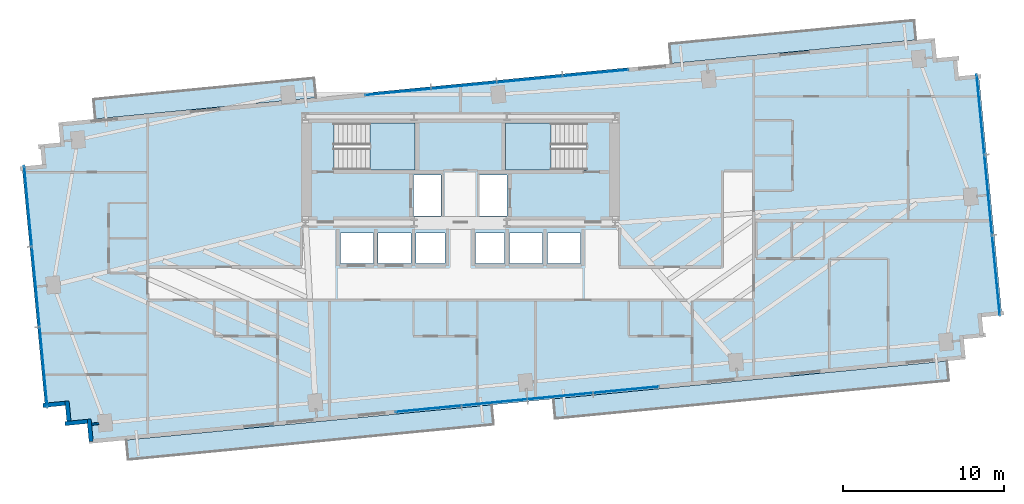
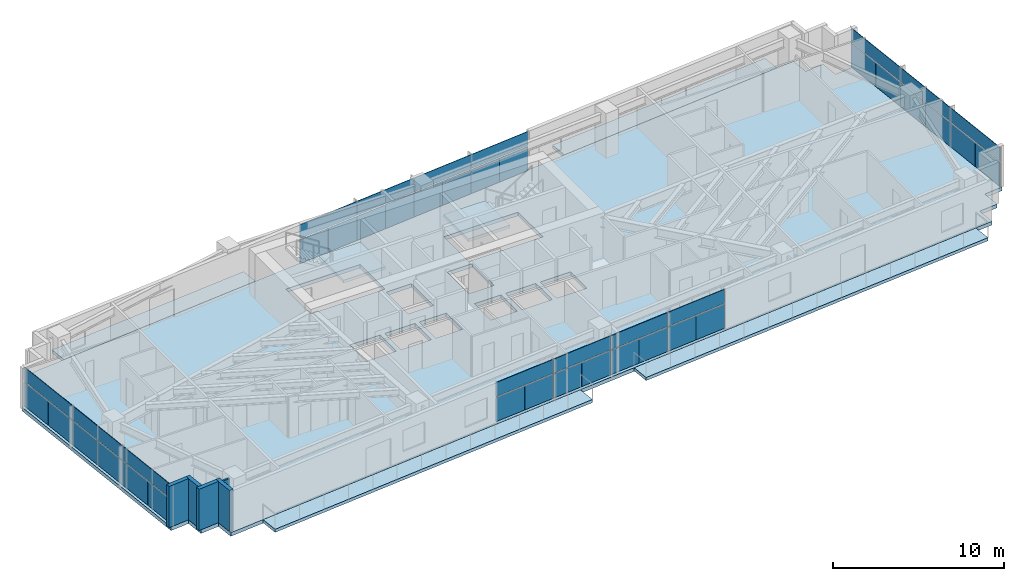
# One storey, part 20 of 27: 42 plates, 7 slabs, 5 walls, 6 elements without a shape of their own.
"""IFC4 building model written with IfcOpenShell, lengths in metres."""

from ifc_helpers import new_model, si_unit, direction, frame, frame_2d, origin, origin_2d, place, context, subcontext, project, spatial, polyline, rectangle, outline, extrude, source, transform, mapped, material, layer, layer_set, type_object, type_shapes, element, aggregate, save


model = new_model("IFC4")

# Units and contexts
model_context = context("Model", 3, precision=1e-05, world=origin(), true_north=direction((0.0, 1.0)))
body_context = subcontext(model_context, "Body", "Model", "MODEL_VIEW")
ifc_project = project(units=[si_unit("LENGTHUNIT", "METRE"), si_unit("AREAUNIT", "SQUARE_METRE"), si_unit("VOLUMEUNIT", "CUBIC_METRE"), si_unit("PLANEANGLEUNIT", "RADIAN"), si_unit("MASSUNIT", "GRAM", prefix="KILO")], contexts=[model_context])

# Site, building, storey
site_placement = place(None, origin())
site = spatial("IfcSite", under=ifc_project, at=site_placement, CompositionType="ELEMENT")
building_placement = place(site_placement, origin())
building = spatial("IfcBuilding", under=site, at=building_placement, Name="Astriad Promenade Condominiums", CompositionType="ELEMENT")
storey_placement = place(building_placement, frame((0.0, 0.0, 93.800048828125)))
storey = spatial("IfcBuildingStorey", under=building, at=storey_placement, Name="L26", CompositionType="ELEMENT", Elevation=93.800048828125)

# Slab
ifc_material_1 = material(Name="Concrete C50/60", Category="concrete")
ifc_layer_1 = layer(ifc_material_1, 0.260009765625)
ifc_layer_set_1 = layer_set([ifc_layer_1], Name="Concrete C50/60")
slab_type_1 = type_object("IfcSlabType", Name="CONCRETE TOWER FLOOR SLAB 260", PredefinedType="FLOOR", material=ifc_layer_set_1)
slab_1_placement = place(storey_placement, frame((0.0, 0.0, -0.260009765625)))
element("IfcSlab", 1, at=slab_1_placement, inside=storey, type_object=slab_type_1, Name="Structural Floor Slab (L26)", PredefinedType="FLOOR", context=body_context, shape_type="SweptSolid", body=[
    extrude(outline(polyline([(12.984130859375, 3.7294921875), (67.332763671875, 8.962646484375), (67.212890625, 10.206787109375), (68.457275390625, 10.32666015625), (68.33740234375, 11.57080078125), (69.58154296875, 11.690673828125), (68.14404296875, 26.62158203125), (66.899658203125, 26.501953125), (66.77978515625, 27.74609375), (65.53564453125, 27.626220703125), (65.416015625, 28.87060546875), (11.067138671875, 23.637451171875), (11.18701171875, 22.39306640625), (9.94287109375, 22.273193359375), (10.0625, 21.029052734375), (8.818359375, 20.9091796875), (10.256103515625, 5.978271484375), (11.500244140625, 6.09814453125), (11.6201171875, 4.85400390625), (12.8642578125, 4.9736328125), (12.984130859375, 3.7294921875)]), holes=[polyline([(28.175048828125, 20.699951171875), (33.175048828125, 20.699951171875), (33.175048828125, 23.60009765625), (28.175048828125, 23.60009765625), (28.175048828125, 20.699951171875)]), polyline([(38.824951171875, 20.699951171875), (43.824951171875, 20.699951171875), (43.824951171875, 23.60009765625), (38.824951171875, 23.60009765625), (38.824951171875, 20.699951171875)]), polyline([(33.10009765625, 17.85009765625), (34.800048828125, 17.85009765625), (34.800048828125, 20.39990234375), (33.10009765625, 20.39990234375), (33.10009765625, 17.85009765625)]), polyline([(37.199951171875, 17.85009765625), (38.89990234375, 17.85009765625), (38.89990234375, 20.39990234375), (37.199951171875, 20.39990234375), (37.199951171875, 17.85009765625)]), polyline([(28.550048828125, 14.89990234375), (30.60009765625, 14.89990234375), (30.60009765625, 16.800048828125), (28.550048828125, 16.800048828125), (28.550048828125, 14.89990234375)]), polyline([(30.89990234375, 14.89990234375), (32.949951171875, 14.89990234375), (32.949951171875, 16.800048828125), (30.89990234375, 16.800048828125), (30.89990234375, 14.89990234375)]), polyline([(33.25, 14.89990234375), (35.050048828125, 14.89990234375), (35.050048828125, 16.800048828125), (33.25, 16.800048828125), (33.25, 14.89990234375)]), polyline([(36.949951171875, 14.89990234375), (38.75, 14.89990234375), (38.75, 16.800048828125), (36.949951171875, 16.800048828125), (36.949951171875, 14.89990234375)]), polyline([(39.050048828125, 14.89990234375), (41.10009765625, 14.89990234375), (41.10009765625, 16.800048828125), (39.050048828125, 16.800048828125), (39.050048828125, 14.89990234375)]), polyline([(41.39990234375, 14.89990234375), (43.449951171875, 14.89990234375), (43.449951171875, 16.800048828125), (41.39990234375, 16.800048828125), (41.39990234375, 14.89990234375)])]), origin(), (0.0, 0.0, 1.0), 0.260009765625),
])

# Stair, slab
stair_type = type_object("IfcStairType", Name="STR-CORE-1350", PredefinedType="HALF_TURN_STAIR", material=ifc_material_1)
stair_1_placement = place(storey_placement, origin())
stair_1 = element("IfcStair", 2, at=stair_1_placement, inside=storey, type_object=stair_type, Name="L26 Enclosed Core Exit Stair ST-1", PredefinedType="HALF_TURN_STAIR")
ifc_layer_2 = layer(ifc_material_1, 0.219970703125)
ifc_layer_set_2 = layer_set([ifc_layer_2], Name="Concrete C50/60")
slab_type_2 = type_object("IfcSlabType", Name="SLB-LANDING-220", PredefinedType="LANDING", material=ifc_layer_set_2)
slab_2_placement = place(storey_placement, frame((0.0, 0.0, 1.39990234375)))
slab_2 = element("IfcSlab", 3, at=slab_2_placement, type_object=slab_type_2, Name="ST-1 landing 1", PredefinedType="LANDING", context=body_context, shape_type="SweptSolid", body=[
    extrude(outline(polyline([(30.389892578125, 20.699951171875), (33.199951171875, 20.699951171875), (33.199951171875, 23.60009765625), (30.389892578125, 23.60009765625), (30.389892578125, 20.699951171875)])), origin(), (0.0, 0.0, 1.0), 0.199951171875),
])
aggregate(stair_1, [slab_2])

stair_2_placement = place(storey_placement, origin())
stair_2 = element("IfcStair", 4, at=stair_2_placement, inside=storey, type_object=stair_type, Name="L26 Enclosed Core Exit Stair ST-2", PredefinedType="HALF_TURN_STAIR")
slab_3_placement = place(storey_placement, frame((0.0, 0.0, 1.39990234375)))
slab_3 = element("IfcSlab", 5, at=slab_3_placement, type_object=slab_type_2, Name="ST-2 landing 1", PredefinedType="LANDING", context=body_context, shape_type="SweptSolid", body=[
    extrude(outline(polyline([(41.610107421875, 23.60009765625), (38.800048828125, 23.60009765625), (38.800048828125, 20.699951171875), (41.610107421875, 20.699951171875), (41.610107421875, 23.60009765625)])), origin(), (0.0, 0.0, 1.0), 0.199951171875),
])
aggregate(stair_2, [slab_3])

# Slabs
ifc_material_2 = material(Name="Precast concrete C50/60", Category="concrete")
ifc_layer_3 = layer(ifc_material_2, 0.219970703125)
ifc_layer_set_3 = layer_set([ifc_layer_3], Name="Precast concrete C50/60")
slab_type_3 = type_object("IfcSlabType", Name="WHITE PRECAST CONCRETE WAVE BALCONY SLAB 220", PredefinedType="FLOOR", material=ifc_layer_set_3)
slab_4_placement = place(storey_placement, frame((0.0, 0.0, -0.219970703125)))
element("IfcSlab", 6, at=slab_4_placement, inside=storey, type_object=slab_type_3, Name="White Precast Wave Balcony Slab BAL-L26-SW", PredefinedType="FLOOR", context=body_context, shape_type="SweptSolid", body=[
    extrude(outline(polyline([(38.05859375, 4.918212890625), (15.4013671875, 2.736572265625), (15.28466796875, 3.948974609375), (37.94189453125, 6.130615234375), (38.05859375, 4.918212890625)])), origin(), (0.0, 0.0, 1.0), 0.219970703125),
])
slab_5_placement = place(storey_placement, frame((0.0, 0.0, -0.219970703125)))
element("IfcSlab", 7, at=slab_5_placement, inside=storey, type_object=slab_type_3, Name="White Precast Wave Balcony Slab BAL-L26-SE", PredefinedType="FLOOR", context=body_context, shape_type="SweptSolid", body=[
    extrude(outline(polyline([(66.2880859375, 7.636474609375), (41.885986328125, 5.28662109375), (41.769287109375, 6.4990234375), (66.17138671875, 8.848876953125), (66.2880859375, 7.636474609375)])), origin(), (0.0, 0.0, 1.0), 0.219970703125),
])
slab_6_placement = place(storey_placement, frame((0.0, 0.0, -0.219970703125)))
element("IfcSlab", 8, at=slab_6_placement, inside=storey, type_object=slab_type_3, Name="White Precast Wave Balcony Slab BAL-L26-NW", PredefinedType="FLOOR", context=body_context, shape_type="SweptSolid", body=[
    extrude(outline(polyline([(13.250732421875, 25.0732421875), (26.926513671875, 26.39013671875), (27.043212890625, 25.177734375), (13.367431640625, 23.86083984375), (13.250732421875, 25.0732421875)])), origin(), (0.0, 0.0, 1.0), 0.219970703125),
])
slab_7_placement = place(storey_placement, frame((0.0, 0.0, -0.219970703125)))
element("IfcSlab", 9, at=slab_7_placement, inside=storey, type_object=slab_type_3, Name="White Precast Wave Balcony Slab BAL-L26-NE", PredefinedType="FLOOR", context=body_context, shape_type="SweptSolid", body=[
    extrude(outline(polyline([(48.964599609375, 28.51220703125), (64.13720703125, 29.97314453125), (64.25390625, 28.7607421875), (49.081298828125, 27.2998046875), (48.964599609375, 28.51220703125)])), origin(), (0.0, 0.0, 1.0), 0.219970703125),
])

# Curtain wall, plates
ifc_material_3 = material(Name="Anodised aluminium Black Dark Glass Unitised", Category="aluminium")
curtain_wall_type = type_object("IfcCurtainWallType", Name="CW-B2-DARK", PredefinedType="USERDEFINED", material=ifc_material_3)
curtain_wall_1_placement = place(storey_placement, origin())
curtain_wall_1 = element("IfcCurtainWall", 10, at=curtain_wall_1_placement, inside=storey, type_object=curtain_wall_type, Name="CW-L26-W", ObjectType="UNITISED_CURTAIN_WALL", PredefinedType="USERDEFINED")
ifc_material_4 = material(Name="Dark Tinted Low-E Laminated Glass", Category="glass")
ifc_layer_4 = layer(ifc_material_4, 0.035888671875)
ifc_layer_set_4 = layer_set([ifc_layer_4], Name="Dark Tinted Low-E Laminated Glass")
plate_type = type_object("IfcPlateType", Name="PNL-DARK-GLASS-36", PredefinedType="CURTAIN_PANEL", material=ifc_layer_set_4)
shared_shape_1 = source(origin(), body_context, "Body", "SweptSolid", [
    extrude(rectangle(XDim=2.488037109375, YDim=0.035888671875, at=origin_2d()), origin(), (0.0, 0.0, 1.0), 1.702880859375),
])
plate_1_placement = place(storey_placement, frame((10.265625, 7.235107421875, 0.080078125), z_axis=(0.0, 0.0, 1.0), x_axis=(-0.09584575252, 0.995396198367, 0.0)))
plate_1 = element("IfcPlate", 11, at=plate_1_placement, type_object=plate_type, Name="CW-L26-W-PNL-00-VL", PredefinedType="CURTAIN_PANEL", context=body_context, shape_type="MappedRepresentation", body=[
    mapped(shared_shape_1, transform((0.0, 0.0, 0.0), scale=1.0)),
])
plate_2_placement = place(storey_placement, frame((10.02587890625, 9.723388671875, 0.080078125), z_axis=(0.0, 0.0, 1.0), x_axis=(-0.09584575252, 0.995396198367, 0.0)))
plate_2 = element("IfcPlate", 12, at=plate_2_placement, type_object=plate_type, Name="CW-L26-W-PNL-00-VR", PredefinedType="CURTAIN_PANEL", context=body_context, shape_type="MappedRepresentation", body=[
    mapped(shared_shape_1, transform((0.0, 0.0, 0.0), scale=1.0)),
])
plate_3_placement = place(storey_placement, frame((9.786376953125, 12.212158203125, 0.080078125), z_axis=(0.0, 0.0, 1.0), x_axis=(-0.09584575252, 0.995396198367, 0.0)))
plate_3 = element("IfcPlate", 13, at=plate_3_placement, type_object=plate_type, Name="CW-L26-W-PNL-01-VL", PredefinedType="CURTAIN_PANEL", context=body_context, shape_type="MappedRepresentation", body=[
    mapped(shared_shape_1, transform((0.0, 0.0, 0.0), scale=1.0)),
])
plate_4_placement = place(storey_placement, frame((9.546875, 14.700439453125, 0.080078125), z_axis=(0.0, 0.0, 1.0), x_axis=(-0.09584575252, 0.995396198367, 0.0)))
plate_4 = element("IfcPlate", 14, at=plate_4_placement, type_object=plate_type, Name="CW-L26-W-PNL-01-VR", PredefinedType="CURTAIN_PANEL", context=body_context, shape_type="MappedRepresentation", body=[
    mapped(shared_shape_1, transform((0.0, 0.0, 0.0), scale=1.0)),
])
plate_5_placement = place(storey_placement, frame((9.30712890625, 17.189208984375, 0.080078125), z_axis=(0.0, 0.0, 1.0), x_axis=(-0.09584575252, 0.995396198367, 0.0)))
plate_5 = element("IfcPlate", 15, at=plate_5_placement, type_object=plate_type, Name="CW-L26-W-PNL-02-VL", PredefinedType="CURTAIN_PANEL", context=body_context, shape_type="MappedRepresentation", body=[
    mapped(shared_shape_1, transform((0.0, 0.0, 0.0), scale=1.0)),
])
plate_6_placement = place(storey_placement, frame((9.067626953125, 19.677490234375, 0.080078125), z_axis=(0.0, 0.0, 1.0), x_axis=(-0.09584575252, 0.995396198367, 0.0)))
plate_6 = element("IfcPlate", 16, at=plate_6_placement, type_object=plate_type, Name="CW-L26-W-PNL-02-VR", PredefinedType="CURTAIN_PANEL", context=body_context, shape_type="MappedRepresentation", body=[
    mapped(shared_shape_1, transform((0.0, 0.0, 0.0), scale=1.0)),
])

curtain_wall_2_placement = place(storey_placement, origin())
curtain_wall_2 = element("IfcCurtainWall", 17, at=curtain_wall_2_placement, inside=storey, type_object=curtain_wall_type, Name="CW-L26-E", ObjectType="UNITISED_CURTAIN_WALL", PredefinedType="USERDEFINED")
plate_7_placement = place(storey_placement, frame((68.134521484375, 25.364990234375, 0.080078125), z_axis=(0.0, 0.0, 1.0), x_axis=(0.09584575252, -0.995396198367, 0.0)))
plate_7 = element("IfcPlate", 18, at=plate_7_placement, type_object=plate_type, Name="CW-L26-E-PNL-00-VL", PredefinedType="CURTAIN_PANEL", context=body_context, shape_type="MappedRepresentation", body=[
    mapped(shared_shape_1, transform((0.0, 0.0, 0.0), scale=1.0)),
])
plate_8_placement = place(storey_placement, frame((68.3740234375, 22.87646484375, 0.080078125), z_axis=(0.0, 0.0, 1.0), x_axis=(0.09584575252, -0.995396198367, 0.0)))
plate_8 = element("IfcPlate", 19, at=plate_8_placement, type_object=plate_type, Name="CW-L26-E-PNL-00-VR", PredefinedType="CURTAIN_PANEL", context=body_context, shape_type="MappedRepresentation", body=[
    mapped(shared_shape_1, transform((0.0, 0.0, 0.0), scale=1.0)),
])
plate_9_placement = place(storey_placement, frame((68.613525390625, 20.387939453125, 0.080078125), z_axis=(0.0, 0.0, 1.0), x_axis=(0.09584575252, -0.995396198367, 0.0)))
plate_9 = element("IfcPlate", 20, at=plate_9_placement, type_object=plate_type, Name="CW-L26-E-PNL-01-VL", PredefinedType="CURTAIN_PANEL", context=body_context, shape_type="MappedRepresentation", body=[
    mapped(shared_shape_1, transform((0.0, 0.0, 0.0), scale=1.0)),
])
plate_10_placement = place(storey_placement, frame((68.853271484375, 17.8994140625, 0.080078125), z_axis=(0.0, 0.0, 1.0), x_axis=(0.09584575252, -0.995396198367, 0.0)))
plate_10 = element("IfcPlate", 21, at=plate_10_placement, type_object=plate_type, Name="CW-L26-E-PNL-01-VR", PredefinedType="CURTAIN_PANEL", context=body_context, shape_type="MappedRepresentation", body=[
    mapped(shared_shape_1, transform((0.0, 0.0, 0.0), scale=1.0)),
])
plate_11_placement = place(storey_placement, frame((69.0927734375, 15.410888671875, 0.080078125), z_axis=(0.0, 0.0, 1.0), x_axis=(0.09584575252, -0.995396198367, 0.0)))
plate_11 = element("IfcPlate", 22, at=plate_11_placement, type_object=plate_type, Name="CW-L26-E-PNL-02-VL", PredefinedType="CURTAIN_PANEL", context=body_context, shape_type="MappedRepresentation", body=[
    mapped(shared_shape_1, transform((0.0, 0.0, 0.0), scale=1.0)),
])
plate_12_placement = place(storey_placement, frame((69.33251953125, 12.922607421875, 0.080078125), z_axis=(0.0, 0.0, 1.0), x_axis=(0.09584575252, -0.995396198367, 0.0)))
plate_12 = element("IfcPlate", 23, at=plate_12_placement, type_object=plate_type, Name="CW-L26-E-PNL-02-VR", PredefinedType="CURTAIN_PANEL", context=body_context, shape_type="MappedRepresentation", body=[
    mapped(shared_shape_1, transform((0.0, 0.0, 0.0), scale=1.0)),
])

# Plate
shared_shape_2 = source(origin(), body_context, "Body", "SweptSolid", [
    extrude(rectangle(XDim=4.988037109375, YDim=0.035888671875, at=origin_2d()), origin(), (0.0, 0.0, 1.0), 0.997314453125),
])
plate_13_placement = place(storey_placement, frame((10.145751953125, 8.479248046875, 1.86279296875), z_axis=(0.0, 0.0, 1.0), x_axis=(-0.09584575252, 0.995396198367, 0.0)))
plate_13 = element("IfcPlate", 24, at=plate_13_placement, type_object=plate_type, Name="CW-L26-W-PNL-00-S", PredefinedType="CURTAIN_PANEL", context=body_context, shape_type="MappedRepresentation", body=[
    mapped(shared_shape_2, transform((0.0, 0.0, 0.0), scale=1.0)),
])

plate_14_placement = place(storey_placement, frame((9.66650390625, 13.456298828125, 1.86279296875), z_axis=(0.0, 0.0, 1.0), x_axis=(-0.09584575252, 0.995396198367, 0.0)))
plate_14 = element("IfcPlate", 25, at=plate_14_placement, type_object=plate_type, Name="CW-L26-W-PNL-01-S", PredefinedType="CURTAIN_PANEL", context=body_context, shape_type="MappedRepresentation", body=[
    mapped(shared_shape_2, transform((0.0, 0.0, 0.0), scale=1.0)),
])

plate_15_placement = place(storey_placement, frame((9.1875, 18.433349609375, 1.86279296875), z_axis=(0.0, 0.0, 1.0), x_axis=(-0.09584575252, 0.995396198367, 0.0)))
plate_15 = element("IfcPlate", 26, at=plate_15_placement, type_object=plate_type, Name="CW-L26-W-PNL-02-S", PredefinedType="CURTAIN_PANEL", context=body_context, shape_type="MappedRepresentation", body=[
    mapped(shared_shape_2, transform((0.0, 0.0, 0.0), scale=1.0)),
])

aggregate(curtain_wall_1, [plate_1, plate_2, plate_13, plate_3, plate_4, plate_14, plate_5, plate_6, plate_15])

plate_16_placement = place(storey_placement, frame((68.254150390625, 24.12060546875, 1.86279296875), z_axis=(0.0, 0.0, 1.0), x_axis=(0.09584575252, -0.995396198367, 0.0)))
plate_16 = element("IfcPlate", 27, at=plate_16_placement, type_object=plate_type, Name="CW-L26-E-PNL-00-S", PredefinedType="CURTAIN_PANEL", context=body_context, shape_type="MappedRepresentation", body=[
    mapped(shared_shape_2, transform((0.0, 0.0, 0.0), scale=1.0)),
])

plate_17_placement = place(storey_placement, frame((68.7333984375, 19.143798828125, 1.86279296875), z_axis=(0.0, 0.0, 1.0), x_axis=(0.09584575252, -0.995396198367, 0.0)))
plate_17 = element("IfcPlate", 28, at=plate_17_placement, type_object=plate_type, Name="CW-L26-E-PNL-01-S", PredefinedType="CURTAIN_PANEL", context=body_context, shape_type="MappedRepresentation", body=[
    mapped(shared_shape_2, transform((0.0, 0.0, 0.0), scale=1.0)),
])

plate_18_placement = place(storey_placement, frame((69.212646484375, 14.166748046875, 1.86279296875), z_axis=(0.0, 0.0, 1.0), x_axis=(0.09584575252, -0.995396198367, 0.0)))
plate_18 = element("IfcPlate", 29, at=plate_18_placement, type_object=plate_type, Name="CW-L26-E-PNL-02-S", PredefinedType="CURTAIN_PANEL", context=body_context, shape_type="MappedRepresentation", body=[
    mapped(shared_shape_2, transform((0.0, 0.0, 0.0), scale=1.0)),
])

aggregate(curtain_wall_2, [plate_7, plate_8, plate_16, plate_9, plate_10, plate_17, plate_11, plate_12, plate_18])

# Curtain wall, plates
curtain_wall_3_placement = place(storey_placement, origin())
curtain_wall_3 = element("IfcCurtainWall", 30, at=curtain_wall_3_placement, inside=storey, type_object=curtain_wall_type, Name="CW-L26-N", ObjectType="UNITISED_CURTAIN_WALL", PredefinedType="USERDEFINED")
shared_shape_3 = source(origin(), body_context, "Body", "SweptSolid", [
    extrude(rectangle(XDim=2.035400390625, YDim=0.035888671875, at=origin_2d()), origin(), (0.0, 0.0, 1.0), 1.702880859375),
])
plate_19_placement = place(storey_placement, frame((31.12060546875, 25.437744140625, 0.080078125), z_axis=(0.0, 0.0, 1.0), x_axis=(0.995396198367, 0.09584575252, 0.0)))
plate_19 = element("IfcPlate", 31, at=plate_19_placement, type_object=plate_type, Name="CW-L26-N-PNL-00-VL", PredefinedType="CURTAIN_PANEL", context=body_context, shape_type="MappedRepresentation", body=[
    mapped(shared_shape_3, transform((0.0, 0.0, 0.0), scale=1.0)),
])
plate_20_placement = place(storey_placement, frame((33.15869140625, 25.634033203125, 0.080078125), z_axis=(0.0, 0.0, 1.0), x_axis=(0.995396198367, 0.09584575252, 0.0)))
plate_20 = element("IfcPlate", 32, at=plate_20_placement, type_object=plate_type, Name="CW-L26-N-PNL-00-VR", PredefinedType="CURTAIN_PANEL", context=body_context, shape_type="MappedRepresentation", body=[
    mapped(shared_shape_3, transform((0.0, 0.0, 0.0), scale=1.0)),
])
plate_21_placement = place(storey_placement, frame((35.19677734375, 25.830078125, 0.080078125), z_axis=(0.0, 0.0, 1.0), x_axis=(0.995396198367, 0.09584575252, 0.0)))
plate_21 = element("IfcPlate", 33, at=plate_21_placement, type_object=plate_type, Name="CW-L26-N-PNL-01-VL", PredefinedType="CURTAIN_PANEL", context=body_context, shape_type="MappedRepresentation", body=[
    mapped(shared_shape_3, transform((0.0, 0.0, 0.0), scale=1.0)),
])
plate_22_placement = place(storey_placement, frame((37.23486328125, 26.026611328125, 0.080078125), z_axis=(0.0, 0.0, 1.0), x_axis=(0.995396198367, 0.09584575252, 0.0)))
plate_22 = element("IfcPlate", 34, at=plate_22_placement, type_object=plate_type, Name="CW-L26-N-PNL-01-VR", PredefinedType="CURTAIN_PANEL", context=body_context, shape_type="MappedRepresentation", body=[
    mapped(shared_shape_3, transform((0.0, 0.0, 0.0), scale=1.0)),
])
plate_23_placement = place(storey_placement, frame((39.27294921875, 26.22265625, 0.080078125), z_axis=(0.0, 0.0, 1.0), x_axis=(0.995396198367, 0.09584575252, 0.0)))
plate_23 = element("IfcPlate", 35, at=plate_23_placement, type_object=plate_type, Name="CW-L26-N-PNL-02-VL", PredefinedType="CURTAIN_PANEL", context=body_context, shape_type="MappedRepresentation", body=[
    mapped(shared_shape_3, transform((0.0, 0.0, 0.0), scale=1.0)),
])
plate_24_placement = place(storey_placement, frame((41.31103515625, 26.4189453125, 0.080078125), z_axis=(0.0, 0.0, 1.0), x_axis=(0.995396198367, 0.09584575252, 0.0)))
plate_24 = element("IfcPlate", 36, at=plate_24_placement, type_object=plate_type, Name="CW-L26-N-PNL-02-VR", PredefinedType="CURTAIN_PANEL", context=body_context, shape_type="MappedRepresentation", body=[
    mapped(shared_shape_3, transform((0.0, 0.0, 0.0), scale=1.0)),
])
plate_25_placement = place(storey_placement, frame((43.34912109375, 26.615234375, 0.080078125), z_axis=(0.0, 0.0, 1.0), x_axis=(0.995396198367, 0.09584575252, 0.0)))
plate_25 = element("IfcPlate", 37, at=plate_25_placement, type_object=plate_type, Name="CW-L26-N-PNL-03-VL", PredefinedType="CURTAIN_PANEL", context=body_context, shape_type="MappedRepresentation", body=[
    mapped(shared_shape_3, transform((0.0, 0.0, 0.0), scale=1.0)),
])
plate_26_placement = place(storey_placement, frame((45.38720703125, 26.8115234375, 0.080078125), z_axis=(0.0, 0.0, 1.0), x_axis=(0.995396198367, 0.09584575252, 0.0)))
plate_26 = element("IfcPlate", 38, at=plate_26_placement, type_object=plate_type, Name="CW-L26-N-PNL-03-VR", PredefinedType="CURTAIN_PANEL", context=body_context, shape_type="MappedRepresentation", body=[
    mapped(shared_shape_3, transform((0.0, 0.0, 0.0), scale=1.0)),
])

curtain_wall_4_placement = place(storey_placement, origin())
curtain_wall_4 = element("IfcCurtainWall", 39, at=curtain_wall_4_placement, inside=storey, type_object=curtain_wall_type, Name="CW-L26-S", ObjectType="UNITISED_CURTAIN_WALL", PredefinedType="USERDEFINED")
plate_27_placement = place(storey_placement, frame((47.279296875, 7.162353515625, 0.080078125), z_axis=(0.0, 0.0, 1.0), x_axis=(-0.995396198367, -0.09584575252, 0.0)))
plate_27 = element("IfcPlate", 40, at=plate_27_placement, type_object=plate_type, Name="CW-L26-S-PNL-00-VL", PredefinedType="CURTAIN_PANEL", context=body_context, shape_type="MappedRepresentation", body=[
    mapped(shared_shape_3, transform((0.0, 0.0, 0.0), scale=1.0)),
])
plate_28_placement = place(storey_placement, frame((45.2412109375, 6.966064453125, 0.080078125), z_axis=(0.0, 0.0, 1.0), x_axis=(-0.995396198367, -0.09584575252, 0.0)))
plate_28 = element("IfcPlate", 41, at=plate_28_placement, type_object=plate_type, Name="CW-L26-S-PNL-00-VR", PredefinedType="CURTAIN_PANEL", context=body_context, shape_type="MappedRepresentation", body=[
    mapped(shared_shape_3, transform((0.0, 0.0, 0.0), scale=1.0)),
])
plate_29_placement = place(storey_placement, frame((43.203125, 6.769775390625, 0.080078125), z_axis=(0.0, 0.0, 1.0), x_axis=(-0.995396198367, -0.09584575252, 0.0)))
plate_29 = element("IfcPlate", 42, at=plate_29_placement, type_object=plate_type, Name="CW-L26-S-PNL-01-VL", PredefinedType="CURTAIN_PANEL", context=body_context, shape_type="MappedRepresentation", body=[
    mapped(shared_shape_3, transform((0.0, 0.0, 0.0), scale=1.0)),
])
plate_30_placement = place(storey_placement, frame((41.1650390625, 6.573486328125, 0.080078125), z_axis=(0.0, 0.0, 1.0), x_axis=(-0.995396198367, -0.09584575252, 0.0)))
plate_30 = element("IfcPlate", 43, at=plate_30_placement, type_object=plate_type, Name="CW-L26-S-PNL-01-VR", PredefinedType="CURTAIN_PANEL", context=body_context, shape_type="MappedRepresentation", body=[
    mapped(shared_shape_3, transform((0.0, 0.0, 0.0), scale=1.0)),
])
plate_31_placement = place(storey_placement, frame((39.126953125, 6.377197265625, 0.080078125), z_axis=(0.0, 0.0, 1.0), x_axis=(-0.995396198367, -0.09584575252, 0.0)))
plate_31 = element("IfcPlate", 44, at=plate_31_placement, type_object=plate_type, Name="CW-L26-S-PNL-02-VL", PredefinedType="CURTAIN_PANEL", context=body_context, shape_type="MappedRepresentation", body=[
    mapped(shared_shape_3, transform((0.0, 0.0, 0.0), scale=1.0)),
])
plate_32_placement = place(storey_placement, frame((37.0888671875, 6.180908203125, 0.080078125), z_axis=(0.0, 0.0, 1.0), x_axis=(-0.995396198367, -0.09584575252, 0.0)))
plate_32 = element("IfcPlate", 45, at=plate_32_placement, type_object=plate_type, Name="CW-L26-S-PNL-02-VR", PredefinedType="CURTAIN_PANEL", context=body_context, shape_type="MappedRepresentation", body=[
    mapped(shared_shape_3, transform((0.0, 0.0, 0.0), scale=1.0)),
])
plate_33_placement = place(storey_placement, frame((35.05078125, 5.98486328125, 0.080078125), z_axis=(0.0, 0.0, 1.0), x_axis=(-0.995396198367, -0.09584575252, 0.0)))
plate_33 = element("IfcPlate", 46, at=plate_33_placement, type_object=plate_type, Name="CW-L26-S-PNL-03-VL", PredefinedType="CURTAIN_PANEL", context=body_context, shape_type="MappedRepresentation", body=[
    mapped(shared_shape_3, transform((0.0, 0.0, 0.0), scale=1.0)),
])
plate_34_placement = place(storey_placement, frame((33.0126953125, 5.78857421875, 0.080078125), z_axis=(0.0, 0.0, 1.0), x_axis=(-0.995396198367, -0.09584575252, 0.0)))
plate_34 = element("IfcPlate", 47, at=plate_34_placement, type_object=plate_type, Name="CW-L26-S-PNL-03-VR", PredefinedType="CURTAIN_PANEL", context=body_context, shape_type="MappedRepresentation", body=[
    mapped(shared_shape_3, transform((0.0, 0.0, 0.0), scale=1.0)),
])

# Plate
shared_shape_4 = source(origin(), body_context, "Body", "SweptSolid", [
    extrude(rectangle(XDim=4.0830078125, YDim=0.035888671875, at=origin_2d()), origin(), (0.0, 0.0, 1.0), 0.997314453125),
])
type_shapes(plate_type, [shared_shape_1, shared_shape_2, shared_shape_3, shared_shape_4])
plate_35_placement = place(storey_placement, frame((32.1396484375, 25.535888671875, 1.86279296875), z_axis=(0.0, 0.0, 1.0), x_axis=(0.995396198367, 0.09584575252, 0.0)))
plate_35 = element("IfcPlate", 48, at=plate_35_placement, type_object=plate_type, Name="CW-L26-N-PNL-00-S", PredefinedType="CURTAIN_PANEL", context=body_context, shape_type="MappedRepresentation", body=[
    mapped(shared_shape_4, transform((0.0, 0.0, 0.0), scale=1.0)),
])

plate_36_placement = place(storey_placement, frame((36.2158203125, 25.928466796875, 1.86279296875), z_axis=(0.0, 0.0, 1.0), x_axis=(0.995396198367, 0.09584575252, 0.0)))
plate_36 = element("IfcPlate", 49, at=plate_36_placement, type_object=plate_type, Name="CW-L26-N-PNL-01-S", PredefinedType="CURTAIN_PANEL", context=body_context, shape_type="MappedRepresentation", body=[
    mapped(shared_shape_4, transform((0.0, 0.0, 0.0), scale=1.0)),
])

plate_37_placement = place(storey_placement, frame((40.2919921875, 26.32080078125, 1.86279296875), z_axis=(0.0, 0.0, 1.0), x_axis=(0.995396198367, 0.09584575252, 0.0)))
plate_37 = element("IfcPlate", 50, at=plate_37_placement, type_object=plate_type, Name="CW-L26-N-PNL-02-S", PredefinedType="CURTAIN_PANEL", context=body_context, shape_type="MappedRepresentation", body=[
    mapped(shared_shape_4, transform((0.0, 0.0, 0.0), scale=1.0)),
])

plate_38_placement = place(storey_placement, frame((44.368408203125, 26.71337890625, 1.86279296875), z_axis=(0.0, 0.0, 1.0), x_axis=(0.995396198367, 0.09584575252, 0.0)))
plate_38 = element("IfcPlate", 51, at=plate_38_placement, type_object=plate_type, Name="CW-L26-N-PNL-03-S", PredefinedType="CURTAIN_PANEL", context=body_context, shape_type="MappedRepresentation", body=[
    mapped(shared_shape_4, transform((0.0, 0.0, 0.0), scale=1.0)),
])

aggregate(curtain_wall_3, [plate_19, plate_20, plate_35, plate_21, plate_22, plate_36, plate_23, plate_24, plate_37, plate_25, plate_26, plate_38])

plate_39_placement = place(storey_placement, frame((46.26025390625, 7.064208984375, 1.86279296875), z_axis=(0.0, 0.0, 1.0), x_axis=(-0.995396198367, -0.09584575252, 0.0)))
plate_39 = element("IfcPlate", 52, at=plate_39_placement, type_object=plate_type, Name="CW-L26-S-PNL-00-S", PredefinedType="CURTAIN_PANEL", context=body_context, shape_type="MappedRepresentation", body=[
    mapped(shared_shape_4, transform((0.0, 0.0, 0.0), scale=1.0)),
])

plate_40_placement = place(storey_placement, frame((42.18408203125, 6.671630859375, 1.86279296875), z_axis=(0.0, 0.0, 1.0), x_axis=(-0.995396198367, -0.09584575252, 0.0)))
plate_40 = element("IfcPlate", 53, at=plate_40_placement, type_object=plate_type, Name="CW-L26-S-PNL-01-S", PredefinedType="CURTAIN_PANEL", context=body_context, shape_type="MappedRepresentation", body=[
    mapped(shared_shape_4, transform((0.0, 0.0, 0.0), scale=1.0)),
])

plate_41_placement = place(storey_placement, frame((38.10791015625, 6.279052734375, 1.86279296875), z_axis=(0.0, 0.0, 1.0), x_axis=(-0.995396198367, -0.09584575252, 0.0)))
plate_41 = element("IfcPlate", 54, at=plate_41_placement, type_object=plate_type, Name="CW-L26-S-PNL-02-S", PredefinedType="CURTAIN_PANEL", context=body_context, shape_type="MappedRepresentation", body=[
    mapped(shared_shape_4, transform((0.0, 0.0, 0.0), scale=1.0)),
])

plate_42_placement = place(storey_placement, frame((34.03173828125, 5.88671875, 1.86279296875), z_axis=(0.0, 0.0, 1.0), x_axis=(-0.995396198367, -0.09584575252, 0.0)))
plate_42 = element("IfcPlate", 55, at=plate_42_placement, type_object=plate_type, Name="CW-L26-S-PNL-03-S", PredefinedType="CURTAIN_PANEL", context=body_context, shape_type="MappedRepresentation", body=[
    mapped(shared_shape_4, transform((0.0, 0.0, 0.0), scale=1.0)),
])

aggregate(curtain_wall_4, [plate_27, plate_28, plate_39, plate_29, plate_30, plate_40, plate_31, plate_32, plate_41, plate_33, plate_34, plate_42])

# Walls
ifc_layer_5 = layer(ifc_material_2, 0.260009765625)
ifc_layer_set_5 = layer_set([ifc_layer_5], Name="Precast concrete C50/60")
wall_type_1 = type_object("IfcWallType", Name="WALL-EXT-TWR-260", PredefinedType="STANDARD", material=ifc_layer_set_5)
for number, where, z_axis, x_axis, name in (
    (56, (12.86669921875, 5.1044921875, 0.0), (0.0, 0.0, 1.0), (-0.995389446633, -0.095915846097, 0.0), "W-SER-L26-00"),
    (57, (11.738525390625, 4.98095703125, 0.0), (0.0, 0.0, 1.0), (-0.095915846097, 0.995389446633, 0.0), "W-SER-L26-01"),
):
    element("IfcWall", number, at=place(storey_placement, frame(where, z_axis=z_axis, x_axis=x_axis)), inside=storey, type_object=wall_type_1, Name=name, PredefinedType="STANDARD", context=body_context, shape_type="SweptSolid", body=[
        extrude(rectangle(XDim=1.394775390625, YDim=0.260009765625, at=frame_2d((0.697265625, 0.0))), origin(), (0.0, 0.0, 1.0), 2.93994140625),
    ])
for number, where, z_axis, x_axis, name in (
    (58, (11.502685546875, 6.22900390625, 0.0), (0.0, 0.0, 1.0), (-0.995391056452, -0.09589913835, 0.0), "W-SER-L26-02"),
    (59, (13.1025390625, 3.8564453125, 0.0), (0.0, 0.0, 1.0), (-0.09589913835, 0.995391056452, 0.0), "W-SER-L26-19"),
):
    element("IfcWall", number, at=place(storey_placement, frame(where, z_axis=z_axis, x_axis=x_axis)), inside=storey, type_object=wall_type_1, Name=name, PredefinedType="STANDARD", context=body_context, shape_type="SweptSolid", body=[
        extrude(rectangle(XDim=1.39501953125, YDim=0.260009765625, at=frame_2d((0.697509765625, 0.0))), origin(), (0.0, 0.0, 1.0), 2.93994140625),
    ])
ifc_material_5 = material(Name="Acoustic Metal-Stud Gypsum Partition")
ifc_layer_6 = layer(ifc_material_5, 0.1201171875)
ifc_layer_set_6 = layer_set([ifc_layer_6], Name="Acoustic Metal-Stud Gypsum Partition")
wall_type_2 = type_object("IfcWallType", Name="WALL-PART-120", PredefinedType="PARTITIONING", material=ifc_layer_set_6)
wall_placement = place(storey_placement, frame((13.587646484375, 4.972900390625, 0.0), z_axis=(0.0, 0.0, 1.0), x_axis=(-0.995435366701, -0.095438098896, 0.0)))
element("IfcWall", 60, at=wall_placement, inside=storey, type_object=wall_type_2, Name="PT-PIL-L26-PC01-8", PredefinedType="PARTITIONING", context=body_context, shape_type="SweptSolid", body=[
    extrude(rectangle(XDim=0.4580078125, YDim=0.1201171875, at=frame_2d((0.22900390625, 0.0))), origin(), (0.0, 0.0, 1.0), 2.93994140625),
])

save(model, "model.ifc")
